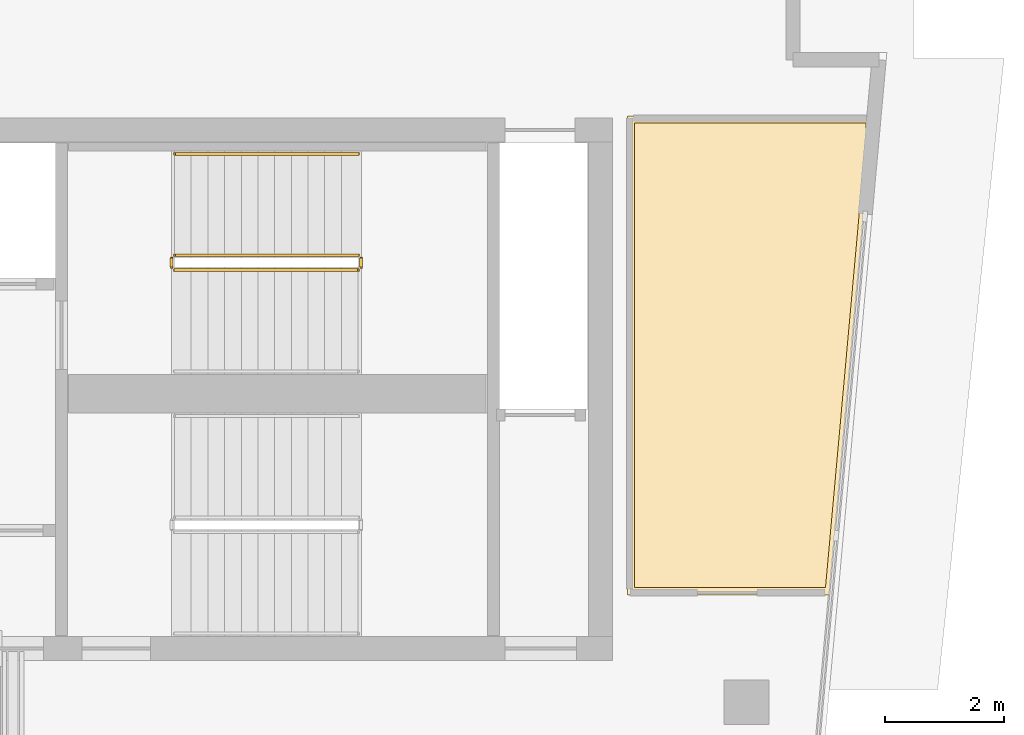
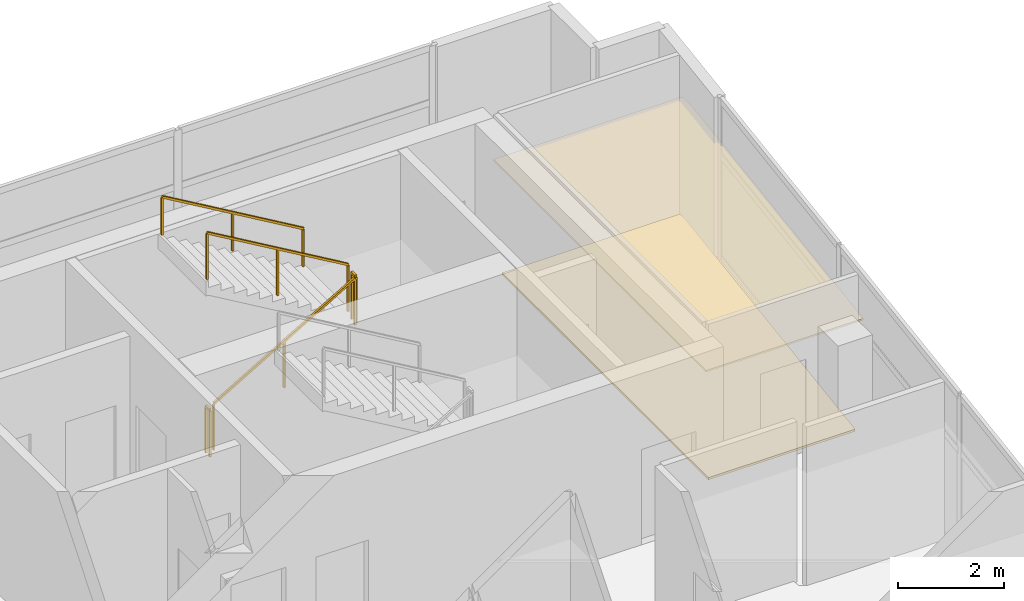
# One storey, part 7 of 7: 5 railings, 2 coverings.
"""IFC4 building model written with IfcOpenShell, lengths in metres."""

from ifc_helpers import new_model, si_unit, direction, frame, origin, origin_2d, place, context, subcontext, project, spatial, polyline, rectangle, outline, extrude, material, layer, layer_set, type_object, element, save


model = new_model("IFC4")

# Units and contexts
model_context = context("Model", 3, precision=1e-05, world=origin(), true_north=direction((0.0, 1.0)))
body_context = subcontext(model_context, "Body", "Model", "MODEL_VIEW")
ifc_project = project(units=[si_unit("LENGTHUNIT", "METRE"), si_unit("AREAUNIT", "SQUARE_METRE"), si_unit("VOLUMEUNIT", "CUBIC_METRE"), si_unit("PLANEANGLEUNIT", "RADIAN"), si_unit("MASSUNIT", "GRAM", prefix="KILO")], contexts=[model_context])

# Site, building, storey
site_placement = place(None, origin())
site = spatial("IfcSite", under=ifc_project, at=site_placement, CompositionType="ELEMENT")
building_placement = place(site_placement, origin())
building = spatial("IfcBuilding", under=site, at=building_placement, Name="Caeloran Harvest Quay", CompositionType="ELEMENT")
storey_placement = place(building_placement, frame((0.0, 0.0, 300.14990234375)))
storey = spatial("IfcBuildingStorey", under=building, at=storey_placement, Name="L72", CompositionType="ELEMENT", Elevation=300.14990234375)

# Coverings
ifc_material_1 = material(Name="Perforated Mineral-Fibre Acoustic Ceiling Tile", Category="ceiling")
ifc_layer_1 = layer(ifc_material_1, 0.0400390625, Name="Perforated Mineral-Fibre Acoustic Ceiling Tile")
ifc_layer_set_1 = layer_set([ifc_layer_1], Name="Perforated Mineral-Fibre Acoustic Ceiling Tile")
covering_type_1 = type_object("IfcCoveringType", Name="COV-CEILING-ACOUSTIC", PredefinedType="CEILING", material=ifc_layer_set_1)
covering_1_placement = place(storey_placement, frame((0.0, 0.0, 2.60009765625)))
element("IfcCovering", 1, at=covering_1_placement, inside=storey, type_object=covering_type_1, Name="L72 Bioinformatics and Crop Phenotyping Laboratory Acoustic Ceiling", PredefinedType="CEILING", context=body_context, shape_type="SweptSolid", body=[
    extrude(outline(polyline([(27.62255859375, 40.427490234375), (26.9345703125, 32.800048828125), (23.5, 32.800048828125), (23.5, 40.840087890625), (27.62255859375, 40.840087890625), (27.62255859375, 40.427490234375)])), origin(), (0.0, 0.0, 1.0), 0.0400390625),
])
ifc_material_2 = material(Name="Calcium-Sulphate Raised Access Floor and Terrazzo Finish", Category="flooring")
ifc_layer_2 = layer(ifc_material_2, 0.050048828125, Name="Calcium-Sulphate Raised Access Floor and Terrazzo Finish")
ifc_layer_set_2 = layer_set([ifc_layer_2], Name="Calcium-Sulphate Raised Access Floor and Terrazzo Finish")
covering_type_2 = type_object("IfcCoveringType", Name="COV-FLOOR-RAISED", PredefinedType="FLOORING", material=ifc_layer_set_2)
covering_2_placement = place(storey_placement, origin())
element("IfcCovering", 2, at=covering_2_placement, inside=storey, type_object=covering_type_2, Name="L72 Bioinformatics and Crop Phenotyping Laboratory Raised Finish Flooring", PredefinedType="FLOORING", context=body_context, shape_type="SweptSolid", body=[
    extrude(outline(polyline([(27.50244140625, 40.43310546875), (26.824951171875, 32.919921875), (23.6201171875, 32.919921875), (23.6201171875, 40.719970703125), (27.50244140625, 40.719970703125), (27.50244140625, 40.43310546875)])), origin(), (0.0, 0.0, 1.0), 0.050048828125),
])

# Railings
ifc_material_3 = material(Name="Painted Steel Baluster and Top-Rail Stair Guard", Category="steel")
ifc_layer_3 = layer(ifc_material_3, 0.050048828125, Name="Painted Steel Baluster and Top-Rail Stair Guard")
ifc_layer_set_3 = layer_set([ifc_layer_3], Name="Painted Steel Baluster and Top-Rail Stair Guard")
railing_type_1 = type_object("IfcRailingType", Name="STAIR-GUARD-1100", PredefinedType="GUARDRAIL", material=ifc_layer_set_3)
railing_1_placement = place(storey_placement, frame((15.89990234375, 38.25, 0.164794921875)))
element("IfcRailing", 3, at=railing_1_placement, inside=storey, type_object=railing_type_1, Name="L72 ST-C1 stair guard 1", PredefinedType="GUARDRAIL", context=body_context, shape_type="SweptSolid", body=[
    extrude(rectangle(XDim=0.048095703125, YDim=0.048095703125, at=origin_2d()), frame((0.0, 0.0, 1.076171875), z_axis=(0.862118610829, 0.0, 0.506706523406), x_axis=(0.0, 1.0, 0.0)), (0.0, 0.0, 1.0), 3.57275390625),
    extrude(rectangle(XDim=0.0419921875, YDim=0.0419921875, at=origin_2d()), origin(), (0.0, 0.0, 1.0), 1.052001953125),
    extrude(rectangle(XDim=0.0419921875, YDim=0.0419921875, at=origin_2d()), frame((1.5400390625, 0.0, 0.9052734375)), (0.0, 0.0, 1.0), 1.052001953125),
    extrude(rectangle(XDim=0.0419921875, YDim=0.0419921875, at=origin_2d()), frame((3.080078125, 0.0, 1.810302734375)), (0.0, 0.0, 1.0), 1.052001953125),
])
railing_2_placement = place(storey_placement, frame((19.030029296875, 38.300048828125, 1.97509765625)))
element("IfcRailing", 4, at=railing_2_placement, inside=storey, type_object=railing_type_1, Name="L72 ST-C1 stair guard 2", PredefinedType="GUARDRAIL", context=body_context, shape_type="SweptSolid", body=[
    extrude(rectangle(XDim=0.048095703125, YDim=0.048095703125, at=origin_2d()), frame((0.0, 0.0, 1.076171875), z_axis=(0.0, 1.0, 0.0), x_axis=(-1.0, 0.0, 0.0)), (0.0, 0.0, 1.0), 0.14990234375),
    extrude(rectangle(XDim=0.0419921875, YDim=0.0419921875, at=origin_2d()), origin(), (0.0, 0.0, 1.0), 1.052001953125),
    extrude(rectangle(XDim=0.0419921875, YDim=0.0419921875, at=origin_2d()), frame((0.0, 0.14990234375, 0.0)), (0.0, 0.0, 1.0), 1.052001953125),
])
railing_3_placement = place(storey_placement, frame((18.97998046875, 38.5, 2.1396484375)))
element("IfcRailing", 5, at=railing_3_placement, inside=storey, type_object=railing_type_1, Name="L72 ST-C1 stair guard 3", PredefinedType="GUARDRAIL", context=body_context, shape_type="SweptSolid", body=[
    extrude(rectangle(XDim=0.048095703125, YDim=0.048095703125, at=origin_2d()), frame((0.0, 0.0, 1.076171875), z_axis=(-0.862088758681, 0.0, 0.506757310905), x_axis=(0.0, -1.0, 0.0)), (0.0, 0.0, 1.0), 3.57275390625),
    extrude(rectangle(XDim=0.0419921875, YDim=0.0419921875, at=origin_2d()), origin(), (0.0, 0.0, 1.0), 1.052001953125),
    extrude(rectangle(XDim=0.0419921875, YDim=0.0419921875, at=origin_2d()), frame((-1.5400390625, 0.0, 0.9052734375)), (0.0, 0.0, 1.0), 1.052001953125),
    extrude(rectangle(XDim=0.0419921875, YDim=0.0419921875, at=origin_2d()), frame((-3.080078125, 0.0, 1.810546875)), (0.0, 0.0, 1.0), 1.052001953125),
])
railing_4_placement = place(storey_placement, frame((15.85009765625, 38.300048828125, 0.0)))
element("IfcRailing", 6, at=railing_4_placement, inside=storey, type_object=railing_type_1, Name="L72 ST-C1 stair guard 4", PredefinedType="GUARDRAIL", context=body_context, shape_type="SweptSolid", body=[
    extrude(rectangle(XDim=0.048095703125, YDim=0.048095703125, at=origin_2d()), frame((0.0, 0.0, 1.076171875), z_axis=(0.0, 1.0, 0.0), x_axis=(-1.0, 0.0, 0.0)), (0.0, 0.0, 1.0), 0.14990234375),
    extrude(rectangle(XDim=0.0419921875, YDim=0.0419921875, at=origin_2d()), origin(), (0.0, 0.0, 1.0), 1.052001953125),
    extrude(rectangle(XDim=0.0419921875, YDim=0.0419921875, at=origin_2d()), frame((0.0, 0.14990234375, 0.0)), (0.0, 0.0, 1.0), 1.052001953125),
])
ifc_material_4 = material(Name="Brushed Stainless Steel Grade 304", Category="steel")
ifc_layer_4 = layer(ifc_material_4, 0.050048828125, Name="Brushed Stainless Steel Grade 304")
ifc_layer_set_4 = layer_set([ifc_layer_4], Name="Brushed Stainless Steel Grade 304")
railing_type_2 = type_object("IfcRailingType", Name="STAIR-HANDRAIL-900", PredefinedType="HANDRAIL", material=ifc_layer_set_4)
railing_5_placement = place(storey_placement, frame((18.97998046875, 40.199951171875, 2.1396484375)))
element("IfcRailing", 7, at=railing_5_placement, inside=storey, type_object=railing_type_2, Name="L72 ST-C1 stair handrail 2", PredefinedType="HANDRAIL", context=body_context, shape_type="SweptSolid", body=[
    extrude(rectangle(XDim=0.048095703125, YDim=0.048095703125, at=origin_2d()), frame((0.0, 0.0, 0.8759765625), z_axis=(-0.862088758681, 0.0, 0.506757310905), x_axis=(0.0, -1.0, 0.0)), (0.0, 0.0, 1.0), 3.57275390625),
    extrude(rectangle(XDim=0.0419921875, YDim=0.0419921875, at=origin_2d()), origin(), (0.0, 0.0, 1.0), 0.851806640625),
    extrude(rectangle(XDim=0.0419921875, YDim=0.0419921875, at=origin_2d()), frame((-1.5400390625, 0.0, 0.9052734375)), (0.0, 0.0, 1.0), 0.851806640625),
    extrude(rectangle(XDim=0.0419921875, YDim=0.0419921875, at=origin_2d()), frame((-3.080078125, 0.0, 1.810546875)), (0.0, 0.0, 1.0), 0.851806640625),
])

save(model, "model.ifc")
